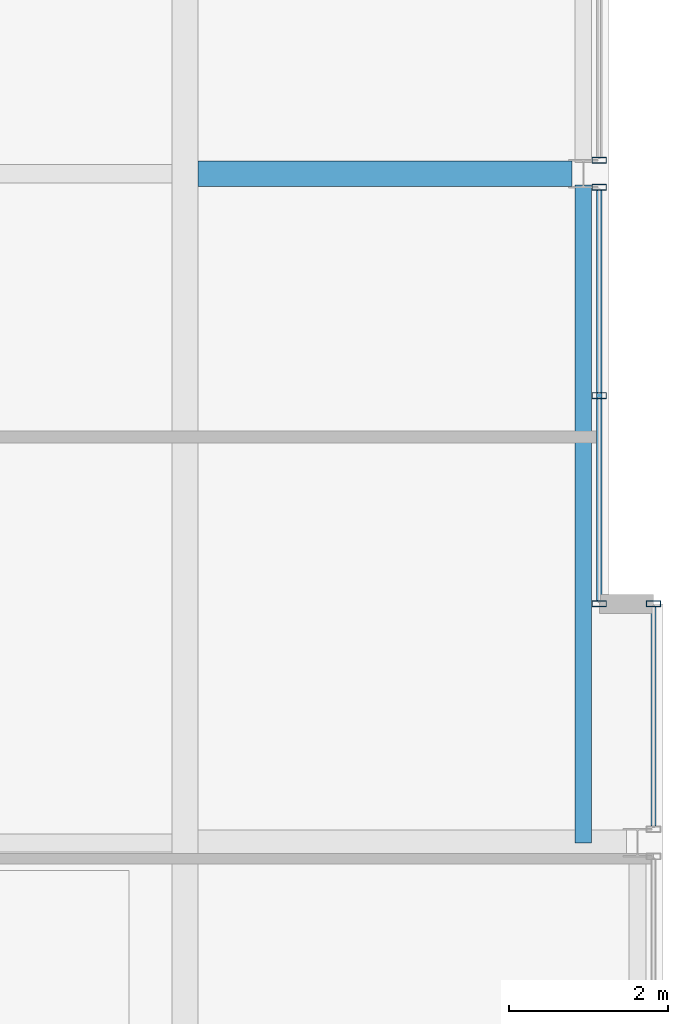
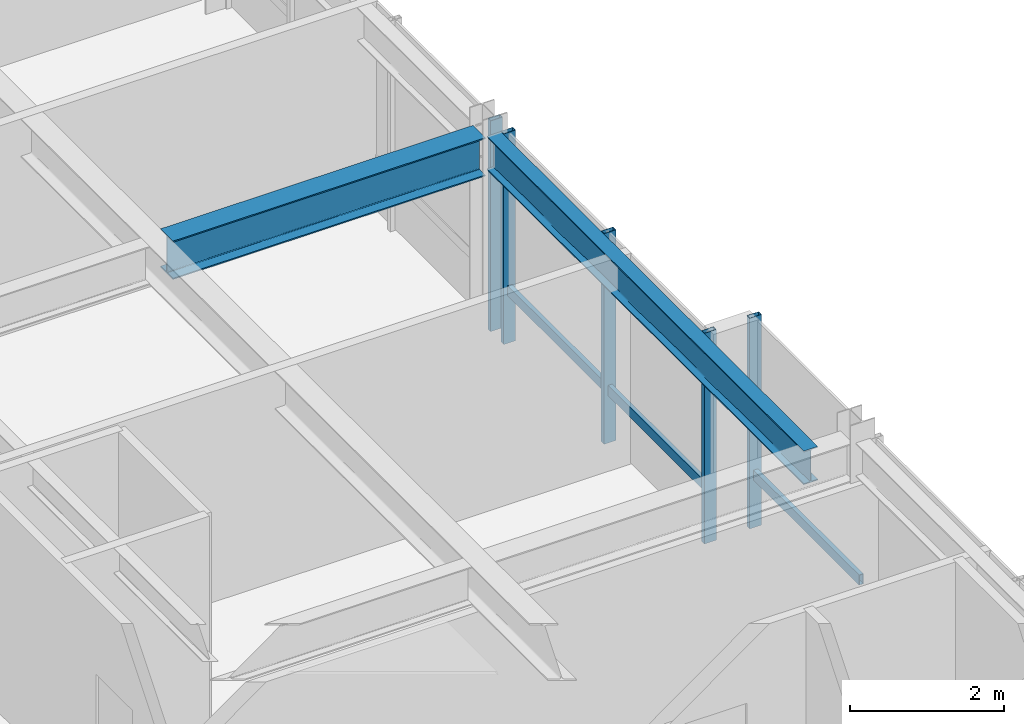
# One storey, part 18 of 34: 7 members, 2 beams, 3 elements without a shape of their own.
"""IFC4 building model written with IfcOpenShell, lengths in metres."""

import ifcopenshell
import ifcopenshell.guid

model = None  # the IFC model being written
_history = None  # IfcOwnerHistory: only IFC2X3 demands one
_inside = {}  # id of a spatial element -> (the spatial element, [elements in it])
_under = {}  # id of a project, library or spatial element -> (it, [spatial elements below it])
_declared = {}  # id of a project -> (the project, [libraries it declares])
_typed = {}  # id of a type object -> (the type object, [elements of that type])
_made_of = {}  # id of a material, layer set ... -> (it, [elements and type objects made of it])


def new_model(schema):
    """Start an empty IFC model of exactly this schema.

    Asked for "IFC4X3", IfcOpenShell would pick the latest addendum, in which some entities
    have other attributes; the version numbers below select the first issue.
    IFC2X3 requires an IfcOwnerHistory on every rooted entity: one is made here for all.
    """
    global model, _history
    if schema == "IFC4X3":
        model = ifcopenshell.file(schema_version=(4, 3, 0, 0))
    else:
        model = ifcopenshell.file(schema=schema)
    _inside.clear()
    _under.clear()
    _declared.clear()
    _typed.clear()
    _made_of.clear()
    _history = None
    if model.schema == "IFC2X3":
        org = make("IfcOrganization", Name="unknown")
        user = make(
            "IfcPersonAndOrganization",
            ThePerson=make("IfcPerson", FamilyName="unknown"),
            TheOrganization=org,
        )
        app = make(
            "IfcApplication",
            ApplicationDeveloper=org,
            Version="unknown",
            ApplicationFullName="unknown",
            ApplicationIdentifier="unknown",
        )
        _history = make(
            "IfcOwnerHistory",
            OwningUser=user,
            OwningApplication=app,
            ChangeAction="ADDED",
            CreationDate=0,
        )
    return model


def make(cls, **values):
    """One entity of the class cls with the attributes given. An attribute that is None is left unset."""
    return model.create_entity(
        cls, **{name: value for name, value in values.items() if value is not None}
    )


def rooted(cls, **values):
    """An entity with a GlobalId (a new one), such as an element, a storey or a relation."""
    return make(cls, GlobalId=ifcopenshell.guid.new(), OwnerHistory=_history, **values)


def si_unit(unit_type, name, prefix=None):
    """IfcSIUnit, for example si_unit("LENGTHUNIT", "METRE", prefix="MILLI")."""
    return make("IfcSIUnit", UnitType=unit_type, Prefix=prefix, Name=name)


def assignment(units):
    """IfcUnitAssignment: the units of a project."""
    return None if units is None else make("IfcUnitAssignment", Units=units)


def point(xyz):
    """IfcCartesianPoint."""
    return None if xyz is None else make("IfcCartesianPoint", Coordinates=xyz)


def direction(xyz):
    """IfcDirection."""
    return None if xyz is None else make("IfcDirection", DirectionRatios=xyz)


def frame(location, z_axis=None, x_axis=None):
    """IfcAxis2Placement3D, a coordinate frame: its origin and axes. An axis left out is left unset."""
    return make(
        "IfcAxis2Placement3D",
        Location=point(location),
        Axis=direction(z_axis),
        RefDirection=direction(x_axis),
    )


def frame_2d(location, x_axis=None):
    """IfcAxis2Placement2D, a coordinate frame in the plane: its origin and x axis."""
    return make(
        "IfcAxis2Placement2D", Location=point(location), RefDirection=direction(x_axis)
    )


def origin():
    """The frame at (0, 0, 0) with its axes left unset."""
    return frame((0.0, 0.0, 0.0))


def origin_2d():
    """The frame at (0, 0) in the plane with its x axis left unset."""
    return frame_2d((0.0, 0.0))


def place(relative_to, where):
    """IfcLocalPlacement: puts the frame where relative to a parent placement (None: the world)."""
    return make(
        "IfcLocalPlacement", PlacementRelTo=relative_to, RelativePlacement=where
    )


def context(
    kind, dimensions, precision=None, world=None, true_north=None, identifier=None
):
    """IfcGeometricRepresentationContext, for example the 3D "Model" context."""
    return make(
        "IfcGeometricRepresentationContext",
        ContextIdentifier=identifier,
        ContextType=kind,
        CoordinateSpaceDimension=dimensions,
        Precision=precision,
        WorldCoordinateSystem=world,
        TrueNorth=true_north,
    )


def subcontext(parent, identifier, kind, view, scale=None):
    """IfcGeometricRepresentationSubContext, for example "Body" below "Model"."""
    return make(
        "IfcGeometricRepresentationSubContext",
        ContextIdentifier=identifier,
        ContextType=kind,
        ParentContext=parent,
        TargetScale=scale,
        TargetView=view,
    )


def project(units=None, contexts=None):
    """IfcProject with its units and contexts."""
    return rooted(
        "IfcProject",
        Name="project",
        RepresentationContexts=contexts,
        UnitsInContext=assignment(units),
    )


def spatial(cls, under=None, at=None, **own):
    """A site, building, storey or space (cls), placed at a placement, below another one or the project."""
    s = rooted(cls, ObjectPlacement=at, **own)
    if under is not None:
        _under.setdefault(under.id(), (under, []))[1].append(s)
    return s


def profile(cls, at=None, kind="AREA", **sizes):
    """A parametric profile (cls). Its sizes go by their IFC names, for example OverallWidth=200.0."""
    return make(cls, ProfileType=kind, Position=at, **sizes)


def hollow_rectangle(**sizes):
    """IfcRectangleHollowProfileDef."""
    return profile("IfcRectangleHollowProfileDef", **sizes)


def i_section(**sizes):
    """IfcIShapeProfileDef."""
    return profile("IfcIShapeProfileDef", **sizes)


def extrude(swept, where, along, depth):
    """IfcExtrudedAreaSolid: the profile swept, set in the frame where, extruded along a direction by depth."""
    return make(
        "IfcExtrudedAreaSolid",
        SweptArea=swept,
        Position=where,
        ExtrudedDirection=direction(along),
        Depth=depth,
    )


def shape(context_of_items, identifier, shape_type, items):
    """IfcShapeRepresentation: the items that make up one representation, for example the "Body"."""
    return make(
        "IfcShapeRepresentation",
        ContextOfItems=context_of_items,
        RepresentationIdentifier=identifier,
        RepresentationType=shape_type,
        Items=items,
    )


def material(Name=None, Category=None):
    """IfcMaterial."""
    return make("IfcMaterial", Name=Name, Category=Category)


def layer(
    of_material, thickness, ventilated=None, Name=None, Category=None, Priority=None
):
    """IfcMaterialLayer: one layer of a wall or slab, of a material (None: an air gap)."""
    return make(
        "IfcMaterialLayer",
        Material=of_material,
        LayerThickness=thickness,
        IsVentilated=ventilated,
        Name=Name,
        Category=Category,
        Priority=Priority,
    )


def layer_set(layers, Name=None):
    """IfcMaterialLayerSet."""
    return make("IfcMaterialLayerSet", MaterialLayers=layers, LayerSetName=Name)


def material_profile(
    of_material, cross_section, Name=None, Category=None, Priority=None
):
    """IfcMaterialProfile: a cross section and its material."""
    return make(
        "IfcMaterialProfile",
        Name=Name,
        Material=of_material,
        Profile=cross_section,
        Priority=Priority,
        Category=Category,
    )


def profile_set(profiles, Name=None, composite=None):
    """IfcMaterialProfileSet."""
    return make(
        "IfcMaterialProfileSet",
        Name=Name,
        MaterialProfiles=profiles,
        CompositeProfile=composite,
    )


def made_of(thing, what):
    """Note that an element or type object is made of a material, layer set ...; save() writes the relation."""
    if what is not None:
        _made_of.setdefault(what.id(), (what, []))[1].append(thing)
    return thing


def type_object(cls, material=None, **own):
    """A type object (cls), such as IfcWallType, which elements share."""
    return made_of(rooted(cls, **own), material)


def element(
    cls,
    number,
    at=None,
    inside=None,
    cuts=None,
    type_object=None,
    material=None,
    context=None,
    identifier="Body",
    shape_type=None,
    held_by="IfcProductDefinitionShape",
    body=None,
    shapes=None,
    **own,
):
    """One element of the class cls, such as IfcWall. Its Tag is "e" and its number.

    at: its placement. inside: the storey or other place that contains it. cuts: it is an
    opening in that element (IfcRelVoidsElement). A single representation is given by context,
    identifier, shape_type and body (its items); several are given by shapes. held_by: the class
    of the entity that holds the representations. save() writes the other relations.
    """
    e = rooted(cls, Tag="e%d" % number, ObjectPlacement=at, **own)
    if body is not None:
        shapes = [shape(context, identifier, shape_type, body)]
    if shapes is not None:
        e.Representation = make(held_by, Representations=shapes)
    if inside is not None:
        _inside.setdefault(inside.id(), (inside, []))[1].append(e)
    if cuts is not None:
        rooted(
            "IfcRelVoidsElement", RelatingBuildingElement=cuts, RelatedOpeningElement=e
        )
    if type_object is not None:
        _typed.setdefault(type_object.id(), (type_object, []))[1].append(e)
    return made_of(e, material)


def aggregate(whole, parts):
    """IfcRelAggregates: a whole, such as a stair, and the parts it consists of."""
    return rooted("IfcRelAggregates", RelatingObject=whole, RelatedObjects=parts)


def save(model, path):
    """Write the relations noted so far, then the file.

    IfcRelAggregates (storeys below a building ...), IfcRelContainedInSpatialStructure (elements
    in a storey), IfcRelDefinesByType, IfcRelAssociatesMaterial and IfcRelDeclares: one each for
    every whole, place, type object, material and project.
    """
    for whole, parts in _under.values():
        aggregate(whole, parts)
    for where, things in _inside.values():
        rooted(
            "IfcRelContainedInSpatialStructure",
            RelatedElements=things,
            RelatingStructure=where,
        )
    for kind, things in _typed.values():
        rooted("IfcRelDefinesByType", RelatedObjects=things, RelatingType=kind)
    for what, things in _made_of.values():
        rooted("IfcRelAssociatesMaterial", RelatedObjects=things, RelatingMaterial=what)
    for by, libraries in _declared.values():
        rooted("IfcRelDeclares", RelatingContext=by, RelatedDefinitions=libraries)
    model.write(path)


model = new_model("IFC4")

# Units and contexts
model_context = context("Model", 3, precision=1e-05, world=origin(), true_north=direction((0.0, 1.0)))
body_context = subcontext(model_context, "Body", "Model", "MODEL_VIEW")
ifc_project = project(units=[si_unit("LENGTHUNIT", "METRE"), si_unit("AREAUNIT", "SQUARE_METRE"), si_unit("VOLUMEUNIT", "CUBIC_METRE"), si_unit("PLANEANGLEUNIT", "RADIAN"), si_unit("MASSUNIT", "GRAM", prefix="KILO")], contexts=[model_context])

# Site, building, storey
site_placement = place(None, origin())
site = spatial("IfcSite", under=ifc_project, at=site_placement, CompositionType="ELEMENT")
building_placement = place(site_placement, origin())
building = spatial("IfcBuilding", under=site, at=building_placement, Name="Drelvath Grand Hotel", CompositionType="ELEMENT")
storey_placement = place(building_placement, frame((0.0, 0.0, 290.550048828125)))
storey = spatial("IfcBuildingStorey", under=building, at=storey_placement, Name="L76", CompositionType="ELEMENT", Elevation=290.550048828125)

# Curtain wall, member
ifc_material_1 = material(Name="Platinum-Mist Anodised Aluminium Frame", Category="aluminium")
ifc_layer = layer(ifc_material_1, 0.199951171875)
ifc_layer_set = layer_set([ifc_layer], Name="Platinum-Mist Anodised Aluminium Frame")
curtain_wall_type = type_object("IfcCurtainWallType", Name="Stick Curtain Wall CW-05 Platinum Mist High-Rise", PredefinedType="NOTDEFINED", material=ifc_layer_set)
curtain_wall_1_placement = place(storey_placement, origin())
curtain_wall_1 = element("IfcCurtainWall", 1, at=curtain_wall_1_placement, inside=storey, type_object=curtain_wall_type, Name="L76 CW-05 Curtain Wall CW05-L76-EM1", PredefinedType="NOTDEFINED")
ifc_material_profile_1 = material_profile(ifc_material_1, hollow_rectangle(XDim=0.06494140625, YDim=0.159912109375, WallThickness=0.00390625, at=origin_2d()), Name="HSS160X65X4")
ifc_profile_set_1 = profile_set([ifc_material_profile_1], Name="Platinum-Mist Anodised Aluminium Frame")
member_type_1 = type_object("IfcMemberType", Name="Curtain Wall Horizontal Transom CW-05 HSS160X65X4", PredefinedType="USERDEFINED", material=ifc_profile_set_1)
member_1_placement = place(storey_placement, frame((21.39990234375, 26.7900390625, 0.83740234375), z_axis=(0.0, -1.0, 0.0), x_axis=(1.0, 0.0, 0.0)))
member_1 = element("IfcMember", 2, at=member_1_placement, type_object=member_type_1, Name="CW05-L76-EM1 Sill Transom", ObjectType="TRANSOM", PredefinedType="USERDEFINED", context=body_context, shape_type="SweptSolid", body=[
    extrude(hollow_rectangle(XDim=0.06494140625, YDim=0.159912109375, WallThickness=0.00390625, at=origin_2d()), origin(), (0.0, 0.0, 1.0), 5.150146484375),
])

curtain_wall_2_placement = place(storey_placement, origin())
curtain_wall_2 = element("IfcCurtainWall", 3, at=curtain_wall_2_placement, inside=storey, type_object=curtain_wall_type, Name="L76 CW-05 Curtain Wall CW05-L76-ES2", PredefinedType="NOTDEFINED")
member_2_placement = place(storey_placement, frame((22.080078125, 21.56005859375, 0.83740234375), z_axis=(0.0, -1.0, 0.0), x_axis=(1.0, 0.0, 0.0)))
member_2 = element("IfcMember", 4, at=member_2_placement, type_object=member_type_1, Name="CW05-L76-ES2 Sill Transom", ObjectType="TRANSOM", PredefinedType="USERDEFINED", context=body_context, shape_type="SweptSolid", body=[
    extrude(hollow_rectangle(XDim=0.06494140625, YDim=0.159912109375, WallThickness=0.00390625, at=origin_2d()), origin(), (0.0, 0.0, 1.0), 2.75),
])

# Member
ifc_material_profile_2 = material_profile(ifc_material_1, hollow_rectangle(XDim=0.074951171875, YDim=0.179931640625, WallThickness=0.0048828125, at=origin_2d()), Name="HSS180X75X5")
ifc_profile_set_2 = profile_set([ifc_material_profile_2], Name="Platinum-Mist Anodised Aluminium Frame")
member_type_2 = type_object("IfcMemberType", Name="Curtain Wall Vertical Mullion CW-05 HSS180X75X5", PredefinedType="MULLION", material=ifc_profile_set_2)
member_3_placement = place(storey_placement, frame((21.39990234375, 26.830078125, 0.0), z_axis=(0.0, 0.0, 1.0), x_axis=(0.0, 1.0, 0.0)))
member_3 = element("IfcMember", 5, at=member_3_placement, type_object=member_type_2, Name="CW05-L76-EM1 Mullion 1", PredefinedType="MULLION", context=body_context, shape_type="SweptSolid", body=[
    extrude(hollow_rectangle(XDim=0.074951171875, YDim=0.179931640625, WallThickness=0.0048828125, at=origin_2d()), origin(), (0.0, 0.0, 1.0), 3.349853515625),
])

member_4_placement = place(storey_placement, frame((21.39990234375, 24.215087890625, 0.0), z_axis=(0.0, 0.0, 1.0), x_axis=(0.0, 1.0, 0.0)))
member_4 = element("IfcMember", 6, at=member_4_placement, type_object=member_type_2, Name="CW05-L76-EM1 Mullion 2", PredefinedType="MULLION", context=body_context, shape_type="SweptSolid", body=[
    extrude(hollow_rectangle(XDim=0.074951171875, YDim=0.179931640625, WallThickness=0.0048828125, at=origin_2d()), origin(), (0.0, 0.0, 1.0), 3.349853515625),
])

member_5_placement = place(storey_placement, frame((21.39990234375, 21.60009765625, 0.0), z_axis=(0.0, 0.0, 1.0), x_axis=(0.0, 1.0, 0.0)))
member_5 = element("IfcMember", 7, at=member_5_placement, type_object=member_type_2, Name="CW05-L76-EM1 Mullion 3", PredefinedType="MULLION", context=body_context, shape_type="SweptSolid", body=[
    extrude(hollow_rectangle(XDim=0.074951171875, YDim=0.179931640625, WallThickness=0.0048828125, at=origin_2d()), origin(), (0.0, 0.0, 1.0), 3.349853515625),
])

aggregate(curtain_wall_1, [member_3, member_4, member_5, member_1])

# Curtain wall, member
curtain_wall_3_placement = place(storey_placement, origin())
curtain_wall_3 = element("IfcCurtainWall", 8, at=curtain_wall_3_placement, inside=storey, type_object=curtain_wall_type, Name="L76 CW-05 Curtain Wall CW05-L76-EM2", PredefinedType="NOTDEFINED")
member_6_placement = place(storey_placement, frame((21.39990234375, 27.169921875, 0.0), z_axis=(0.0, 0.0, 1.0), x_axis=(0.0, 1.0, 0.0)))
member_6 = element("IfcMember", 9, at=member_6_placement, type_object=member_type_2, Name="CW05-L76-EM2 Mullion 3", PredefinedType="MULLION", context=body_context, shape_type="SweptSolid", body=[
    extrude(hollow_rectangle(XDim=0.074951171875, YDim=0.179931640625, WallThickness=0.0048828125, at=origin_2d()), origin(), (0.0, 0.0, 1.0), 3.349853515625),
])
aggregate(curtain_wall_3, [member_6])

# Member
member_7_placement = place(storey_placement, frame((22.080078125, 21.60009765625, 0.0), z_axis=(0.0, 0.0, 1.0), x_axis=(0.0, 1.0, 0.0)))
member_7 = element("IfcMember", 10, at=member_7_placement, type_object=member_type_2, Name="CW05-L76-ES2 Mullion 1", PredefinedType="MULLION", context=body_context, shape_type="SweptSolid", body=[
    extrude(hollow_rectangle(XDim=0.074951171875, YDim=0.179931640625, WallThickness=0.0048828125, at=origin_2d()), origin(), (0.0, 0.0, 1.0), 3.349853515625),
])

aggregate(curtain_wall_2, [member_7, member_2])

# Beams
ifc_material_2 = material(Name="Steel ASTM A992 Gr 50", Category="steel")
ifc_material_profile_3 = material_profile(ifc_material_2, i_section(OverallWidth=0.210205078125, OverallDepth=0.53662109375, WebThickness=0.010986328125, FlangeThickness=0.017333984375, FilletRadius=0.01806640625, at=origin_2d()), Name="W21X68")
ifc_profile_set_3 = profile_set([ifc_material_profile_3], Name="Steel ASTM A992 Gr 50")
beam_type_1 = type_object("IfcBeamType", Name="Perimeter Spandrel Beam W21X68", PredefinedType="SPANDREL", material=ifc_profile_set_3)
beam_1_placement = place(storey_placement, frame((21.199951171875, 18.60009765625, 3.08154296875), z_axis=(0.0, 1.0, 0.0), x_axis=(-1.0, 0.0, 0.0)))
element("IfcBeam", 11, at=beam_1_placement, inside=storey, type_object=beam_type_1, Name="L76 Spandrel East Mid S", PredefinedType="SPANDREL", context=body_context, shape_type="SweptSolid", body=[
    extrude(i_section(OverallWidth=0.210205078125, OverallDepth=0.53662109375, WebThickness=0.010986328125, FlangeThickness=0.017333984375, FilletRadius=0.01806640625, at=origin_2d()), origin(), (0.0, 0.0, 1.0), 8.260009765625),
])
ifc_material_profile_4 = material_profile(ifc_material_2, i_section(OverallWidth=0.323974609375, OverallDepth=0.611083984375, WebThickness=0.0126953125, FlangeThickness=0.01904296875, FilletRadius=0.02197265625, at=origin_2d()), Name="W24X104")
ifc_profile_set_4 = profile_set([ifc_material_profile_4], Name="Steel ASTM A992 Gr 50")
beam_type_2 = type_object("IfcBeamType", Name="Primary Floor Girder W24X104", PredefinedType="BEAM", material=ifc_profile_set_4)
beam_2_placement = place(storey_placement, frame((16.362060546875, 27.0, 3.04443359375), z_axis=(1.0, 0.0, 0.0), x_axis=(0.0, 1.0, 0.0)))
element("IfcBeam", 12, at=beam_2_placement, inside=storey, type_object=beam_type_2, Name="L76 East Wing Girder E", PredefinedType="BEAM", context=body_context, shape_type="SweptSolid", body=[
    extrude(i_section(OverallWidth=0.323974609375, OverallDepth=0.611083984375, WebThickness=0.0126953125, FlangeThickness=0.01904296875, FilletRadius=0.02197265625, at=origin_2d()), origin(), (0.0, 0.0, 1.0), 4.697998046875),
])

save(model, "model.ifc")
